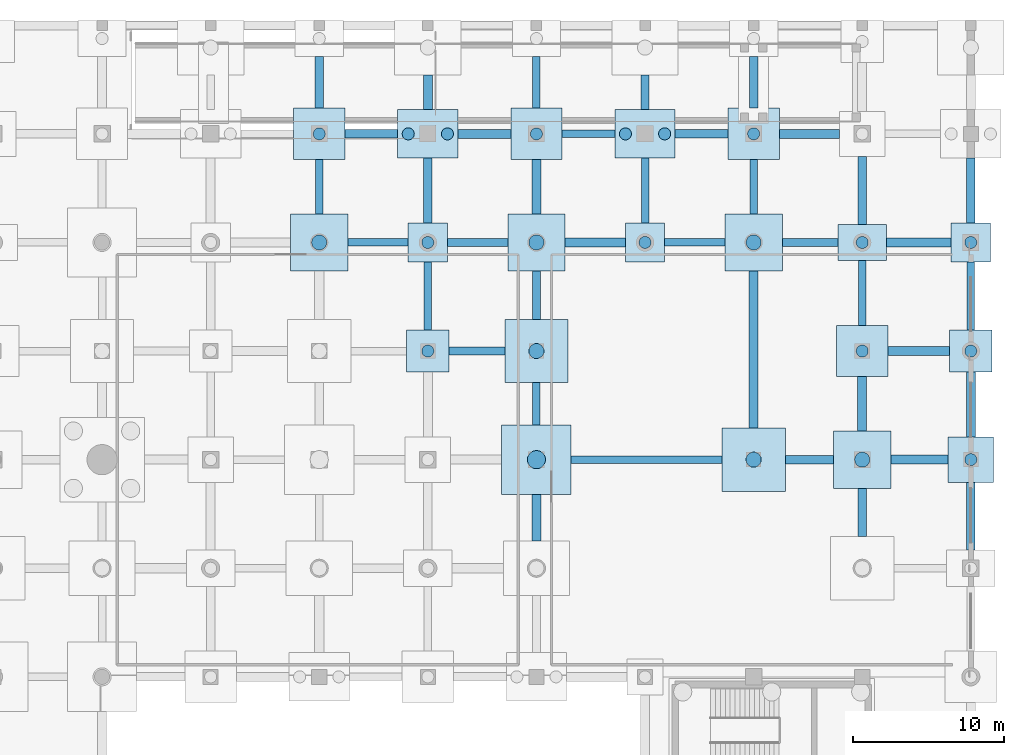
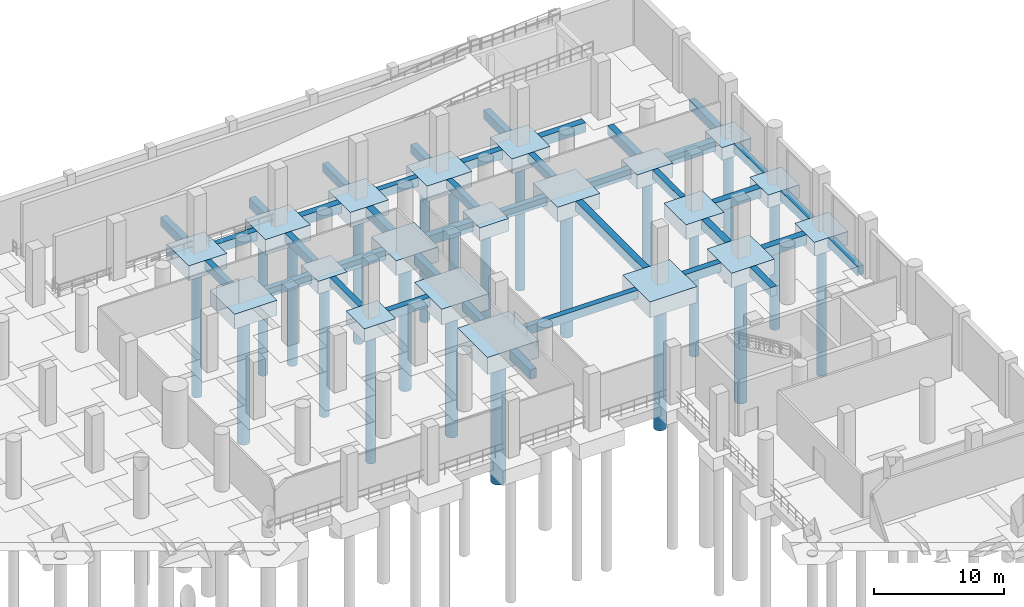
# One storey, part 15 of 37: 59 footings, 22 piles.
"""IFC4 building model written with IfcOpenShell, lengths in metres."""

from ifc_helpers import new_model, si_unit, direction, frame, origin, origin_2d, place, context, subcontext, project, spatial, rectangle, circle, extrude, material, material_profile, profile_set, type_object, element, save


model = new_model("IFC4")

# Units and contexts
model_context = context("Model", 3, precision=1e-05, world=origin(), true_north=direction((0.0, 1.0)))
body_context = subcontext(model_context, "Body", "Model", "MODEL_VIEW")
ifc_project = project(units=[si_unit("LENGTHUNIT", "METRE"), si_unit("AREAUNIT", "SQUARE_METRE"), si_unit("VOLUMEUNIT", "CUBIC_METRE"), si_unit("PLANEANGLEUNIT", "RADIAN"), si_unit("MASSUNIT", "GRAM", prefix="KILO")], contexts=[model_context])

# Site, building, storey
site_placement = place(None, origin())
site = spatial("IfcSite", under=ifc_project, at=site_placement, CompositionType="ELEMENT")
building_placement = place(site_placement, origin())
building = spatial("IfcBuilding", under=site, at=building_placement, Name="Qandorah Velis Arena", CompositionType="ELEMENT")
storey_placement = place(building_placement, frame((0.0, 0.0, -5.39990234375)))
storey = spatial("IfcBuildingStorey", under=building, at=storey_placement, Name="B1", CompositionType="ELEMENT", Elevation=-5.39990234375)

# Footings
ifc_material = material(Name="Concrete C40/50", Category="concrete")
footing_type_1 = type_object("IfcFootingType", Name="STR-CAP-PC10", PredefinedType="PILE_CAP", material=ifc_material)
for number, where, z_axis, x_axis, name in (
    (1, (136.800048828125, 115.199951171875, -1.2001953125), (0.0, 0.0, 1.0), (1.0, 0.0, 0.0), "Pile cap CAP-B1-287"),
    (2, (151.199951171875, 115.199951171875, -1.2001953125), (0.0, 0.0, 1.0), (1.0, 0.0, 0.0), "Pile cap CAP-B1-317"),
    (3, (172.800048828125, 115.199951171875, -1.2001953125), (0.0, 0.0, 1.0), (1.0, 0.0, 0.0), "Pile cap CAP-B1-357"),
):
    element("IfcFooting", number, at=place(storey_placement, frame(where, z_axis=z_axis, x_axis=x_axis)), inside=storey, type_object=footing_type_1, Name=name, PredefinedType="PILE_CAP", context=body_context, shape_type="SweptSolid", body=[
        extrude(rectangle(XDim=2.60009765625, YDim=2.60009765625, at=origin_2d()), origin(), (0.0, 0.0, 1.0), 1.199951171875),
    ])
footing_type_2 = type_object("IfcFootingType", Name="STR-CAP-PC14", PredefinedType="PILE_CAP", material=ifc_material)
for number, where, z_axis, x_axis, name in (
    (4, (136.800048828125, 122.39990234375, -1.4501953125), (0.0, 0.0, 1.0), (1.0, 0.0, 0.0), "Pile cap CAP-B1-288"),
    (5, (151.199951171875, 122.39990234375, -1.4501953125), (0.0, 0.0, 1.0), (1.0, 0.0, 0.0), "Pile cap CAP-B1-318"),
):
    element("IfcFooting", number, at=place(storey_placement, frame(where, z_axis=z_axis, x_axis=x_axis)), inside=storey, type_object=footing_type_2, Name=name, PredefinedType="PILE_CAP", context=body_context, shape_type="SweptSolid", body=[
        extrude(rectangle(XDim=4.0, YDim=3.199951171875, at=origin_2d()), origin(), (0.0, 0.0, 1.0), 1.449951171875),
    ])
footing_type_3 = type_object("IfcFootingType", Name="STR-CAP-PC3", PredefinedType="PILE_CAP", material=ifc_material)
footing_1_placement = place(storey_placement, frame((144.0, 100.800048828125, -1.60009765625), z_axis=(0.0, 0.0, 1.0), x_axis=(1.0, 0.0, 0.0)))
element("IfcFooting", 6, at=footing_1_placement, inside=storey, type_object=footing_type_3, Name="Pile cap CAP-B1-300", PredefinedType="PILE_CAP", context=body_context, shape_type="SweptSolid", body=[
    extrude(rectangle(XDim=4.60009765625, YDim=4.60009765625, at=origin_2d()), origin(), (0.0, 0.0, 1.0), 1.60009765625),
])
footing_type_4 = type_object("IfcFootingType", Name="STR-CAP-PC4", PredefinedType="PILE_CAP", material=ifc_material)
for number, where, z_axis, x_axis, name in (
    (7, (144.0, 108.0, -1.5), (0.0, 0.0, 1.0), (1.0, 0.0, 0.0), "Pile cap CAP-B1-301"),
    (8, (158.39990234375, 100.800048828125, -1.5), (0.0, 0.0, 1.0), (1.0, 0.0, 0.0), "Pile cap CAP-B1-331"),
):
    element("IfcFooting", number, at=place(storey_placement, frame(where, z_axis=z_axis, x_axis=x_axis)), inside=storey, type_object=footing_type_4, Name=name, PredefinedType="PILE_CAP", context=body_context, shape_type="SweptSolid", body=[
        extrude(rectangle(XDim=4.199951171875, YDim=4.199951171875, at=origin_2d()), origin(), (0.0, 0.0, 1.0), 1.5),
    ])
footing_type_5 = type_object("IfcFootingType", Name="STR-CAP-PC5", PredefinedType="PILE_CAP", material=ifc_material)
for number, where, z_axis, x_axis, name in (
    (9, (129.60009765625, 115.199951171875, -1.400146484375), (0.0, 0.0, 1.0), (1.0, 0.0, 0.0), "Pile cap CAP-B1-272"),
    (10, (144.0, 115.199951171875, -1.400146484375), (0.0, 0.0, 1.0), (1.0, 0.0, 0.0), "Pile cap CAP-B1-302"),
    (11, (158.39990234375, 115.199951171875, -1.400146484375), (0.0, 0.0, 1.0), (1.0, 0.0, 0.0), "Pile cap CAP-B1-332"),
    (12, (165.60009765625, 100.800048828125, -1.400146484375), (0.0, 0.0, 1.0), (1.0, 0.0, 0.0), "Pile cap CAP-B1-342"),
):
    element("IfcFooting", number, at=place(storey_placement, frame(where, z_axis=z_axis, x_axis=x_axis)), inside=storey, type_object=footing_type_5, Name=name, PredefinedType="PILE_CAP", context=body_context, shape_type="SweptSolid", body=[
        extrude(rectangle(XDim=3.800048828125, YDim=3.800048828125, at=origin_2d()), origin(), (0.0, 0.0, 1.0), 1.39990234375),
    ])
footing_type_6 = type_object("IfcFootingType", Name="STR-CAP-PC6", PredefinedType="PILE_CAP", material=ifc_material)
for number, where, z_axis, x_axis, name in (
    (13, (129.60009765625, 122.39990234375, -1.400146484375), (0.0, 0.0, 1.0), (1.0, 0.0, 0.0), "Pile cap CAP-B1-273"),
    (14, (144.0, 122.39990234375, -1.400146484375), (0.0, 0.0, 1.0), (1.0, 0.0, 0.0), "Pile cap CAP-B1-303"),
    (15, (158.39990234375, 122.39990234375, -1.400146484375), (0.0, 0.0, 1.0), (1.0, 0.0, 0.0), "Pile cap CAP-B1-333"),
    (16, (165.60009765625, 108.0, -1.400146484375), (0.0, 0.0, 1.0), (1.0, 0.0, 0.0), "Pile cap CAP-B1-343"),
):
    element("IfcFooting", number, at=place(storey_placement, frame(where, z_axis=z_axis, x_axis=x_axis)), inside=storey, type_object=footing_type_6, Name=name, PredefinedType="PILE_CAP", context=body_context, shape_type="SweptSolid", body=[
        extrude(rectangle(XDim=3.39990234375, YDim=3.39990234375, at=origin_2d()), origin(), (0.0, 0.0, 1.0), 1.39990234375),
    ])
footing_type_7 = type_object("IfcFootingType", Name="STR-CAP-PC7", PredefinedType="PILE_CAP", material=ifc_material)
footing_2_placement = place(storey_placement, frame((165.60009765625, 115.199951171875, -1.35009765625), z_axis=(0.0, 0.0, 1.0), x_axis=(1.0, 0.0, 0.0)))
element("IfcFooting", 17, at=footing_2_placement, inside=storey, type_object=footing_type_7, Name="Pile cap CAP-B1-344", PredefinedType="PILE_CAP", context=body_context, shape_type="SweptSolid", body=[
    extrude(rectangle(XDim=3.199951171875, YDim=2.39990234375, at=origin_2d()), origin(), (0.0, 0.0, 1.0), 1.35009765625),
])
footing_type_8 = type_object("IfcFootingType", Name="STR-CAP-PC8", PredefinedType="PILE_CAP", material=ifc_material)
footing_3_placement = place(storey_placement, frame((172.800048828125, 100.800048828125, -1.30029296875), z_axis=(0.0, 0.0, 1.0), x_axis=(1.0, 0.0, 0.0)))
element("IfcFooting", 18, at=footing_3_placement, inside=storey, type_object=footing_type_8, Name="Pile cap CAP-B1-355", PredefinedType="PILE_CAP", context=body_context, shape_type="SweptSolid", body=[
    extrude(rectangle(XDim=3.0, YDim=3.0, at=origin_2d()), origin(), (0.0, 0.0, 1.0), 1.300048828125),
])
footing_type_9 = type_object("IfcFootingType", Name="STR-CAP-PC9", PredefinedType="PILE_CAP", material=ifc_material)
for number, where, z_axis, x_axis, name in (
    (19, (136.800048828125, 108.0, -1.25), (0.0, 0.0, 1.0), (1.0, 0.0, 0.0), "Pile cap CAP-B1-286"),
    (20, (172.800048828125, 108.0, -1.25), (0.0, 0.0, 1.0), (1.0, 0.0, 0.0), "Pile cap CAP-B1-356"),
):
    element("IfcFooting", number, at=place(storey_placement, frame(where, z_axis=z_axis, x_axis=x_axis)), inside=storey, type_object=footing_type_9, Name=name, PredefinedType="PILE_CAP", context=body_context, shape_type="SweptSolid", body=[
        extrude(rectangle(XDim=2.800048828125, YDim=2.800048828125, at=origin_2d()), origin(), (0.0, 0.0, 1.0), 1.25),
    ])
ifc_material_profile_1 = material_profile(ifc_material, rectangle(XDim=0.60009765625, YDim=0.89990234375, at=origin_2d()), Name="GB1 600x900")
ifc_profile_set_1 = profile_set([ifc_material_profile_1], Name="Concrete C40/50")
footing_type_10 = type_object("IfcFootingType", Name="STR-GB-FB1", PredefinedType="FOOTING_BEAM", material=ifc_profile_set_1)
footing_4_placement = place(storey_placement, frame((136.800048828125, 124.0, -0.4501953125), z_axis=(0.0, 1.0, 0.0), x_axis=(-1.0, 0.0, 0.0)))
element("IfcFooting", 21, at=footing_4_placement, inside=storey, type_object=footing_type_10, Name="Ground tie beam GB-216", PredefinedType="FOOTING_BEAM", context=body_context, shape_type="SweptSolid", body=[
    extrude(rectangle(XDim=0.60009765625, YDim=0.89990234375, at=origin_2d()), origin(), (0.0, 0.0, 1.0), 2.320068359375),
])
footing_5_placement = place(storey_placement, frame((144.0, 95.39990234375, -0.4501953125), z_axis=(0.0, 1.0, 0.0), x_axis=(-1.0, 0.0, 0.0)))
element("IfcFooting", 22, at=footing_5_placement, inside=storey, type_object=footing_type_10, Name="Ground tie beam GB-225", PredefinedType="FOOTING_BEAM", context=body_context, shape_type="SweptSolid", body=[
    extrude(rectangle(XDim=0.60009765625, YDim=0.89990234375, at=origin_2d()), origin(), (0.0, 0.0, 1.0), 3.10009765625),
])
footing_6_placement = place(storey_placement, frame((144.0, 117.10009765625, -0.4501953125), z_axis=(0.0, 1.0, 0.0), x_axis=(-1.0, 0.0, 0.0)))
element("IfcFooting", 23, at=footing_6_placement, inside=storey, type_object=footing_type_10, Name="Ground tie beam GB-228", PredefinedType="FOOTING_BEAM", context=body_context, shape_type="SweptSolid", body=[
    extrude(rectangle(XDim=0.60009765625, YDim=0.89990234375, at=origin_2d()), origin(), (0.0, 0.0, 1.0), 3.599853515625),
])
footing_7_placement = place(storey_placement, frame((158.39990234375, 102.89990234375, -0.4501953125), z_axis=(0.0, 1.0, 0.0), x_axis=(-1.0, 0.0, 0.0)))
element("IfcFooting", 24, at=footing_7_placement, inside=storey, type_object=footing_type_10, Name="Ground tie beam GB-249", PredefinedType="FOOTING_BEAM", context=body_context, shape_type="SweptSolid", body=[
    extrude(rectangle(XDim=0.60009765625, YDim=0.89990234375, at=origin_2d()), origin(), (0.0, 0.0, 1.0), 10.400146484375),
])
footing_8_placement = place(storey_placement, frame((165.60009765625, 102.699951171875, -0.4501953125), z_axis=(0.0, 1.0, 0.0), x_axis=(-1.0, 0.0, 0.0)))
element("IfcFooting", 25, at=footing_8_placement, inside=storey, type_object=footing_type_10, Name="Ground tie beam GB-255", PredefinedType="FOOTING_BEAM", context=body_context, shape_type="SweptSolid", body=[
    extrude(rectangle(XDim=0.60009765625, YDim=0.89990234375, at=origin_2d()), origin(), (0.0, 0.0, 1.0), 3.60009765625),
])
footing_9_placement = place(storey_placement, frame((172.800048828125, 102.300048828125, -0.4501953125), z_axis=(0.0, 1.0, 0.0), x_axis=(-1.0, 0.0, 0.0)))
element("IfcFooting", 26, at=footing_9_placement, inside=storey, type_object=footing_type_10, Name="Ground tie beam GB-267", PredefinedType="FOOTING_BEAM", context=body_context, shape_type="SweptSolid", body=[
    extrude(rectangle(XDim=0.60009765625, YDim=0.89990234375, at=origin_2d()), origin(), (0.0, 0.0, 1.0), 4.300048828125),
])
footing_10_placement = place(storey_placement, frame((167.5, 100.800048828125, -0.4501953125), z_axis=(1.0, 0.0, 0.0), x_axis=(0.0, 1.0, 0.0)))
element("IfcFooting", 27, at=footing_10_placement, inside=storey, type_object=footing_type_10, Name="Ground tie beam GB-468", PredefinedType="FOOTING_BEAM", context=body_context, shape_type="SweptSolid", body=[
    extrude(rectangle(XDim=0.60009765625, YDim=0.89990234375, at=origin_2d()), origin(), (0.0, 0.0, 1.0), 3.800048828125),
])
footing_11_placement = place(storey_placement, frame((167.300048828125, 108.0, -0.4501953125), z_axis=(1.0, 0.0, 0.0), x_axis=(0.0, 1.0, 0.0)))
element("IfcFooting", 28, at=footing_11_placement, inside=storey, type_object=footing_type_10, Name="Ground tie beam GB-489", PredefinedType="FOOTING_BEAM", context=body_context, shape_type="SweptSolid", body=[
    extrude(rectangle(XDim=0.60009765625, YDim=0.89990234375, at=origin_2d()), origin(), (0.0, 0.0, 1.0), 4.099853515625),
])
footing_12_placement = place(storey_placement, frame((145.89990234375, 115.199951171875, -0.4501953125), z_axis=(1.0, 0.0, 0.0), x_axis=(0.0, 1.0, 0.0)))
element("IfcFooting", 29, at=footing_12_placement, inside=storey, type_object=footing_type_10, Name="Ground tie beam GB-510", PredefinedType="FOOTING_BEAM", context=body_context, shape_type="SweptSolid", body=[
    extrude(rectangle(XDim=0.60009765625, YDim=0.89990234375, at=origin_2d()), origin(), (0.0, 0.0, 1.0), 4.0),
])
footing_13_placement = place(storey_placement, frame((167.199951171875, 115.199951171875, -0.4501953125), z_axis=(1.0, 0.0, 0.0), x_axis=(0.0, 1.0, 0.0)))
element("IfcFooting", 30, at=footing_13_placement, inside=storey, type_object=footing_type_10, Name="Ground tie beam GB-513", PredefinedType="FOOTING_BEAM", context=body_context, shape_type="SweptSolid", body=[
    extrude(rectangle(XDim=0.60009765625, YDim=0.89990234375, at=origin_2d()), origin(), (0.0, 0.0, 1.0), 4.300048828125),
])
footing_14_placement = place(storey_placement, frame((138.800048828125, 122.39990234375, -0.4501953125), z_axis=(1.0, 0.0, 0.0), x_axis=(0.0, 1.0, 0.0)))
element("IfcFooting", 31, at=footing_14_placement, inside=storey, type_object=footing_type_10, Name="Ground tie beam GB-525", PredefinedType="FOOTING_BEAM", context=body_context, shape_type="SweptSolid", body=[
    extrude(rectangle(XDim=0.60009765625, YDim=0.89990234375, at=origin_2d()), origin(), (0.0, 0.0, 1.0), 3.5),
])
footing_15_placement = place(storey_placement, frame((160.10009765625, 122.39990234375, -0.4501953125), z_axis=(1.0, 0.0, 0.0), x_axis=(0.0, 1.0, 0.0)))
element("IfcFooting", 32, at=footing_15_placement, inside=storey, type_object=footing_type_10, Name="Ground tie beam GB-528", PredefinedType="FOOTING_BEAM", context=body_context, shape_type="SweptSolid", body=[
    extrude(rectangle(XDim=0.60009765625, YDim=0.89990234375, at=origin_2d()), origin(), (0.0, 0.0, 1.0), 4.0),
])
ifc_material_profile_2 = material_profile(ifc_material, rectangle(XDim=0.5, YDim=0.800048828125, at=origin_2d()), Name="GB2 500x800")
ifc_profile_set_2 = profile_set([ifc_material_profile_2], Name="Concrete C40/50")
footing_type_11 = type_object("IfcFootingType", Name="STR-GB-FB2", PredefinedType="FOOTING_BEAM", material=ifc_profile_set_2)
footing_16_placement = place(storey_placement, frame((129.60009765625, 117.10009765625, -0.400146484375), z_axis=(0.0, 1.0, 0.0), x_axis=(-1.0, 0.0, 0.0)))
element("IfcFooting", 33, at=footing_16_placement, inside=storey, type_object=footing_type_11, Name="Ground tie beam GB-202", PredefinedType="FOOTING_BEAM", context=body_context, shape_type="SweptSolid", body=[
    extrude(rectangle(XDim=0.5, YDim=0.800048828125, at=origin_2d()), origin(), (0.0, 0.0, 1.0), 3.599853515625),
])
footing_17_placement = place(storey_placement, frame((136.800048828125, 109.39990234375, -0.400146484375), z_axis=(0.0, 1.0, 0.0), x_axis=(-1.0, 0.0, 0.0)))
element("IfcFooting", 34, at=footing_17_placement, inside=storey, type_object=footing_type_11, Name="Ground tie beam GB-214", PredefinedType="FOOTING_BEAM", context=body_context, shape_type="SweptSolid", body=[
    extrude(rectangle(XDim=0.5, YDim=0.800048828125, at=origin_2d()), origin(), (0.0, 0.0, 1.0), 4.5),
])
footing_18_placement = place(storey_placement, frame((144.0, 103.10009765625, -0.400146484375), z_axis=(0.0, 1.0, 0.0), x_axis=(-1.0, 0.0, 0.0)))
element("IfcFooting", 35, at=footing_18_placement, inside=storey, type_object=footing_type_11, Name="Ground tie beam GB-226", PredefinedType="FOOTING_BEAM", context=body_context, shape_type="SweptSolid", body=[
    extrude(rectangle(XDim=0.5, YDim=0.800048828125, at=origin_2d()), origin(), (0.0, 0.0, 1.0), 2.7998046875),
])
footing_19_placement = place(storey_placement, frame((144.0, 124.10009765625, -0.400146484375), z_axis=(0.0, 1.0, 0.0), x_axis=(-1.0, 0.0, 0.0)))
element("IfcFooting", 36, at=footing_19_placement, inside=storey, type_object=footing_type_11, Name="Ground tie beam GB-229", PredefinedType="FOOTING_BEAM", context=body_context, shape_type="SweptSolid", body=[
    extrude(rectangle(XDim=0.5, YDim=0.800048828125, at=origin_2d()), origin(), (0.0, 0.0, 1.0), 3.419921875),
])
footing_20_placement = place(storey_placement, frame((151.199951171875, 116.5, -0.400146484375), z_axis=(0.0, 1.0, 0.0), x_axis=(-1.0, 0.0, 0.0)))
element("IfcFooting", 37, at=footing_20_placement, inside=storey, type_object=footing_type_11, Name="Ground tie beam GB-241", PredefinedType="FOOTING_BEAM", context=body_context, shape_type="SweptSolid", body=[
    extrude(rectangle(XDim=0.5, YDim=0.800048828125, at=origin_2d()), origin(), (0.0, 0.0, 1.0), 4.300048828125),
])
footing_21_placement = place(storey_placement, frame((158.39990234375, 117.10009765625, -0.400146484375), z_axis=(0.0, 1.0, 0.0), x_axis=(-1.0, 0.0, 0.0)))
element("IfcFooting", 38, at=footing_21_placement, inside=storey, type_object=footing_type_11, Name="Ground tie beam GB-250", PredefinedType="FOOTING_BEAM", context=body_context, shape_type="SweptSolid", body=[
    extrude(rectangle(XDim=0.5, YDim=0.800048828125, at=origin_2d()), origin(), (0.0, 0.0, 1.0), 3.599853515625),
])
footing_22_placement = place(storey_placement, frame((165.60009765625, 109.699951171875, -0.400146484375), z_axis=(0.0, 1.0, 0.0), x_axis=(-1.0, 0.0, 0.0)))
element("IfcFooting", 39, at=footing_22_placement, inside=storey, type_object=footing_type_11, Name="Ground tie beam GB-256", PredefinedType="FOOTING_BEAM", context=body_context, shape_type="SweptSolid", body=[
    extrude(rectangle(XDim=0.5, YDim=0.800048828125, at=origin_2d()), origin(), (0.0, 0.0, 1.0), 4.300048828125),
])
footing_23_placement = place(storey_placement, frame((172.800048828125, 109.39990234375, -0.400146484375), z_axis=(0.0, 1.0, 0.0), x_axis=(-1.0, 0.0, 0.0)))
element("IfcFooting", 40, at=footing_23_placement, inside=storey, type_object=footing_type_11, Name="Ground tie beam GB-268", PredefinedType="FOOTING_BEAM", context=body_context, shape_type="SweptSolid", body=[
    extrude(rectangle(XDim=0.5, YDim=0.800048828125, at=origin_2d()), origin(), (0.0, 0.0, 1.0), 4.5),
])
footing_24_placement = place(storey_placement, frame((146.300048828125, 100.800048828125, -0.400146484375), z_axis=(1.0, 0.0, 0.0), x_axis=(0.0, 1.0, 0.0)))
element("IfcFooting", 41, at=footing_24_placement, inside=storey, type_object=footing_type_11, Name="Ground tie beam GB-466", PredefinedType="FOOTING_BEAM", context=body_context, shape_type="SweptSolid", body=[
    extrude(rectangle(XDim=0.5, YDim=0.800048828125, at=origin_2d()), origin(), (0.0, 0.0, 1.0), 10.0),
])
for number, where, z_axis, x_axis, name in (
    (42, (131.5, 115.199951171875, -0.400146484375), (1.0, 0.0, 0.0), (0.0, 1.0, 0.0), "Ground tie beam GB-508"),
    (43, (152.5, 115.199951171875, -0.400146484375), (1.0, 0.0, 0.0), (0.0, 1.0, 0.0), "Ground tie beam GB-511"),
):
    element("IfcFooting", number, at=place(storey_placement, frame(where, z_axis=z_axis, x_axis=x_axis)), inside=storey, type_object=footing_type_11, Name=name, PredefinedType="FOOTING_BEAM", context=body_context, shape_type="SweptSolid", body=[
        extrude(rectangle(XDim=0.5, YDim=0.800048828125, at=origin_2d()), origin(), (0.0, 0.0, 1.0), 4.0),
    ])
footing_25_placement = place(storey_placement, frame((145.699951171875, 122.39990234375, -0.400146484375), z_axis=(1.0, 0.0, 0.0), x_axis=(0.0, 1.0, 0.0)))
element("IfcFooting", 44, at=footing_25_placement, inside=storey, type_object=footing_type_11, Name="Ground tie beam GB-526", PredefinedType="FOOTING_BEAM", context=body_context, shape_type="SweptSolid", body=[
    extrude(rectangle(XDim=0.5, YDim=0.800048828125, at=origin_2d()), origin(), (0.0, 0.0, 1.0), 3.5),
])
ifc_material_profile_3 = material_profile(ifc_material, rectangle(XDim=0.550048828125, YDim=0.85009765625, at=origin_2d()), Name="GB3 550x850")
ifc_profile_set_3 = profile_set([ifc_material_profile_3], Name="Concrete C40/50")
footing_type_12 = type_object("IfcFootingType", Name="STR-GB-FB3", PredefinedType="FOOTING_BEAM", material=ifc_profile_set_3)
footing_26_placement = place(storey_placement, frame((129.60009765625, 124.10009765625, -0.425048828125), z_axis=(0.0, 1.0, 0.0), x_axis=(-1.0, 0.0, 0.0)))
element("IfcFooting", 45, at=footing_26_placement, inside=storey, type_object=footing_type_12, Name="Ground tie beam GB-203", PredefinedType="FOOTING_BEAM", context=body_context, shape_type="SweptSolid", body=[
    extrude(rectangle(XDim=0.550048828125, YDim=0.85009765625, at=origin_2d()), origin(), (0.0, 0.0, 1.0), 3.419921875),
])
footing_27_placement = place(storey_placement, frame((136.800048828125, 116.5, -0.425048828125), z_axis=(0.0, 1.0, 0.0), x_axis=(-1.0, 0.0, 0.0)))
element("IfcFooting", 46, at=footing_27_placement, inside=storey, type_object=footing_type_12, Name="Ground tie beam GB-215", PredefinedType="FOOTING_BEAM", context=body_context, shape_type="SweptSolid", body=[
    extrude(rectangle(XDim=0.550048828125, YDim=0.85009765625, at=origin_2d()), origin(), (0.0, 0.0, 1.0), 4.300048828125),
])
footing_28_placement = place(storey_placement, frame((144.0, 110.10009765625, -0.425048828125), z_axis=(0.0, 1.0, 0.0), x_axis=(-1.0, 0.0, 0.0)))
element("IfcFooting", 47, at=footing_28_placement, inside=storey, type_object=footing_type_12, Name="Ground tie beam GB-227", PredefinedType="FOOTING_BEAM", context=body_context, shape_type="SweptSolid", body=[
    extrude(rectangle(XDim=0.550048828125, YDim=0.85009765625, at=origin_2d()), origin(), (0.0, 0.0, 1.0), 3.199951171875),
])
footing_29_placement = place(storey_placement, frame((151.199951171875, 124.0, -0.425048828125), z_axis=(0.0, 1.0, 0.0), x_axis=(-1.0, 0.0, 0.0)))
element("IfcFooting", 48, at=footing_29_placement, inside=storey, type_object=footing_type_12, Name="Ground tie beam GB-242", PredefinedType="FOOTING_BEAM", context=body_context, shape_type="SweptSolid", body=[
    extrude(rectangle(XDim=0.550048828125, YDim=0.85009765625, at=origin_2d()), origin(), (0.0, 0.0, 1.0), 2.320068359375),
])
footing_30_placement = place(storey_placement, frame((158.39990234375, 124.10009765625, -0.425048828125), z_axis=(0.0, 1.0, 0.0), x_axis=(-1.0, 0.0, 0.0)))
element("IfcFooting", 49, at=footing_30_placement, inside=storey, type_object=footing_type_12, Name="Ground tie beam GB-251", PredefinedType="FOOTING_BEAM", context=body_context, shape_type="SweptSolid", body=[
    extrude(rectangle(XDim=0.550048828125, YDim=0.85009765625, at=origin_2d()), origin(), (0.0, 0.0, 1.0), 3.419921875),
])
footing_31_placement = place(storey_placement, frame((165.60009765625, 95.699951171875, -0.425048828125), z_axis=(0.0, 1.0, 0.0), x_axis=(-1.0, 0.0, 0.0)))
element("IfcFooting", 50, at=footing_31_placement, inside=storey, type_object=footing_type_12, Name="Ground tie beam GB-254", PredefinedType="FOOTING_BEAM", context=body_context, shape_type="SweptSolid", body=[
    extrude(rectangle(XDim=0.550048828125, YDim=0.85009765625, at=origin_2d()), origin(), (0.0, 0.0, 1.0), 3.199951171875),
])
for number, where, z_axis, x_axis, name in (
    (51, (165.60009765625, 116.39990234375, -0.425048828125), (0.0, 1.0, 0.0), (-1.0, 0.0, 0.0), "Ground tie beam GB-257"),
    (52, (172.800048828125, 94.800048828125, -0.425048828125), (0.0, 1.0, 0.0), (-1.0, 0.0, 0.0), "Ground tie beam GB-266"),
):
    element("IfcFooting", number, at=place(storey_placement, frame(where, z_axis=z_axis, x_axis=x_axis)), inside=storey, type_object=footing_type_12, Name=name, PredefinedType="FOOTING_BEAM", context=body_context, shape_type="SweptSolid", body=[
        extrude(rectangle(XDim=0.550048828125, YDim=0.85009765625, at=origin_2d()), origin(), (0.0, 0.0, 1.0), 4.5),
    ])
footing_32_placement = place(storey_placement, frame((172.800048828125, 116.5, -0.425048828125), z_axis=(0.0, 1.0, 0.0), x_axis=(-1.0, 0.0, 0.0)))
element("IfcFooting", 53, at=footing_32_placement, inside=storey, type_object=footing_type_12, Name="Ground tie beam GB-269", PredefinedType="FOOTING_BEAM", context=body_context, shape_type="SweptSolid", body=[
    extrude(rectangle(XDim=0.550048828125, YDim=0.85009765625, at=origin_2d()), origin(), (0.0, 0.0, 1.0), 4.300048828125),
])
footing_33_placement = place(storey_placement, frame((160.5, 100.800048828125, -0.425048828125), z_axis=(1.0, 0.0, 0.0), x_axis=(0.0, 1.0, 0.0)))
element("IfcFooting", 54, at=footing_33_placement, inside=storey, type_object=footing_type_12, Name="Ground tie beam GB-467", PredefinedType="FOOTING_BEAM", context=body_context, shape_type="SweptSolid", body=[
    extrude(rectangle(XDim=0.550048828125, YDim=0.85009765625, at=origin_2d()), origin(), (0.0, 0.0, 1.0), 3.199951171875),
])
footing_34_placement = place(storey_placement, frame((138.199951171875, 108.0, -0.425048828125), z_axis=(1.0, 0.0, 0.0), x_axis=(0.0, 1.0, 0.0)))
element("IfcFooting", 55, at=footing_34_placement, inside=storey, type_object=footing_type_12, Name="Ground tie beam GB-488", PredefinedType="FOOTING_BEAM", context=body_context, shape_type="SweptSolid", body=[
    extrude(rectangle(XDim=0.550048828125, YDim=0.85009765625, at=origin_2d()), origin(), (0.0, 0.0, 1.0), 3.699951171875),
])
footing_35_placement = place(storey_placement, frame((138.10009765625, 115.199951171875, -0.425048828125), z_axis=(1.0, 0.0, 0.0), x_axis=(0.0, 1.0, 0.0)))
element("IfcFooting", 56, at=footing_35_placement, inside=storey, type_object=footing_type_12, Name="Ground tie beam GB-509", PredefinedType="FOOTING_BEAM", context=body_context, shape_type="SweptSolid", body=[
    extrude(rectangle(XDim=0.550048828125, YDim=0.85009765625, at=origin_2d()), origin(), (0.0, 0.0, 1.0), 4.0),
])
footing_36_placement = place(storey_placement, frame((160.300048828125, 115.199951171875, -0.425048828125), z_axis=(1.0, 0.0, 0.0), x_axis=(0.0, 1.0, 0.0)))
element("IfcFooting", 57, at=footing_36_placement, inside=storey, type_object=footing_type_12, Name="Ground tie beam GB-512", PredefinedType="FOOTING_BEAM", context=body_context, shape_type="SweptSolid", body=[
    extrude(rectangle(XDim=0.550048828125, YDim=0.85009765625, at=origin_2d()), origin(), (0.0, 0.0, 1.0), 3.699951171875),
])
for number, where, z_axis, x_axis, name in (
    (58, (131.300048828125, 122.39990234375, -0.425048828125), (1.0, 0.0, 0.0), (0.0, 1.0, 0.0), "Ground tie beam GB-524"),
    (59, (153.199951171875, 122.39990234375, -0.425048828125), (1.0, 0.0, 0.0), (0.0, 1.0, 0.0), "Ground tie beam GB-527"),
):
    element("IfcFooting", number, at=place(storey_placement, frame(where, z_axis=z_axis, x_axis=x_axis)), inside=storey, type_object=footing_type_12, Name=name, PredefinedType="FOOTING_BEAM", context=body_context, shape_type="SweptSolid", body=[
        extrude(rectangle(XDim=0.550048828125, YDim=0.85009765625, at=origin_2d()), origin(), (0.0, 0.0, 1.0), 3.5),
    ])

# Piles
ifc_material_profile_4 = material_profile(ifc_material, circle(Radius=0.5, at=origin_2d()), Name="BORED PILE D1000")
ifc_profile_set_4 = profile_set([ifc_material_profile_4], Name="Concrete C40/50")
pile_type_1 = type_object("IfcPileType", Name="STR-PILE-BP1000", PredefinedType="BORED", material=ifc_profile_set_4)
pile_1_placement = place(storey_placement, frame((129.60009765625, 115.199951171875, -1.300048828125), z_axis=(0.0, 0.0, -1.0), x_axis=(1.0, 0.0, 0.0)))
element("IfcPile", 60, at=pile_1_placement, inside=storey, type_object=pile_type_1, Name="Bored pile PILE-CAP-B1-272-11", PredefinedType="BORED", context=body_context, shape_type="SweptSolid", body=[
    extrude(circle(Radius=0.5, at=origin_2d()), origin(), (0.0, 0.0, 1.0), 12.5),
])
pile_2_placement = place(storey_placement, frame((144.0, 108.0, -1.400146484375), z_axis=(0.0, 0.0, -1.0), x_axis=(1.0, 0.0, 0.0)))
element("IfcPile", 61, at=pile_2_placement, inside=storey, type_object=pile_type_1, Name="Bored pile PILE-CAP-B1-301-11", PredefinedType="BORED", context=body_context, shape_type="SweptSolid", body=[
    extrude(circle(Radius=0.5, at=origin_2d()), origin(), (0.0, 0.0, 1.0), 12.39990234375),
])
pile_3_placement = place(storey_placement, frame((144.0, 115.199951171875, -1.300048828125), z_axis=(0.0, 0.0, -1.0), x_axis=(1.0, 0.0, 0.0)))
element("IfcPile", 62, at=pile_3_placement, inside=storey, type_object=pile_type_1, Name="Bored pile PILE-CAP-B1-302-11", PredefinedType="BORED", context=body_context, shape_type="SweptSolid", body=[
    extrude(circle(Radius=0.5, at=origin_2d()), origin(), (0.0, 0.0, 1.0), 12.5),
])
pile_4_placement = place(storey_placement, frame((158.39990234375, 100.800048828125, -1.400146484375), z_axis=(0.0, 0.0, -1.0), x_axis=(1.0, 0.0, 0.0)))
element("IfcPile", 63, at=pile_4_placement, inside=storey, type_object=pile_type_1, Name="Bored pile PILE-CAP-B1-331-11", PredefinedType="BORED", context=body_context, shape_type="SweptSolid", body=[
    extrude(circle(Radius=0.5, at=origin_2d()), origin(), (0.0, 0.0, 1.0), 12.39990234375),
])
for number, where, z_axis, x_axis, name in (
    (64, (158.39990234375, 115.199951171875, -1.300048828125), (0.0, 0.0, -1.0), (1.0, 0.0, 0.0), "Bored pile PILE-CAP-B1-332-11"),
    (65, (165.60009765625, 100.800048828125, -1.300048828125), (0.0, 0.0, -1.0), (1.0, 0.0, 0.0), "Bored pile PILE-CAP-B1-342-11"),
):
    element("IfcPile", number, at=place(storey_placement, frame(where, z_axis=z_axis, x_axis=x_axis)), inside=storey, type_object=pile_type_1, Name=name, PredefinedType="BORED", context=body_context, shape_type="SweptSolid", body=[
        extrude(circle(Radius=0.5, at=origin_2d()), origin(), (0.0, 0.0, 1.0), 12.5),
    ])
ifc_material_profile_5 = material_profile(ifc_material, circle(Radius=0.60009765625, at=origin_2d()), Name="BORED PILE D1200")
ifc_profile_set_5 = profile_set([ifc_material_profile_5], Name="Concrete C40/50")
pile_type_2 = type_object("IfcPileType", Name="STR-PILE-BP1200", PredefinedType="BORED", material=ifc_profile_set_5)
pile_5_placement = place(storey_placement, frame((144.0, 100.800048828125, -1.5), z_axis=(0.0, 0.0, -1.0), x_axis=(1.0, 0.0, 0.0)))
element("IfcPile", 66, at=pile_5_placement, inside=storey, type_object=pile_type_2, Name="Bored pile PILE-CAP-B1-300-11", PredefinedType="BORED", context=body_context, shape_type="SweptSolid", body=[
    extrude(circle(Radius=0.60009765625, at=origin_2d()), origin(), (0.0, 0.0, 1.0), 12.300048828125),
])
ifc_material_profile_6 = material_profile(ifc_material, circle(Radius=0.39990234375, at=origin_2d()), Name="BORED PILE D800")
ifc_profile_set_6 = profile_set([ifc_material_profile_6], Name="Concrete C40/50")
pile_type_3 = type_object("IfcPileType", Name="STR-PILE-BP800", PredefinedType="BORED", material=ifc_profile_set_6)
pile_6_placement = place(storey_placement, frame((129.60009765625, 122.39990234375, -1.300048828125), z_axis=(0.0, 0.0, -1.0), x_axis=(1.0, 0.0, 0.0)))
element("IfcPile", 67, at=pile_6_placement, inside=storey, type_object=pile_type_3, Name="Bored pile PILE-CAP-B1-273-11", PredefinedType="BORED", context=body_context, shape_type="SweptSolid", body=[
    extrude(circle(Radius=0.39990234375, at=origin_2d()), origin(), (0.0, 0.0, 1.0), 12.5),
])
pile_7_placement = place(storey_placement, frame((136.800048828125, 108.0, -1.150146484375), z_axis=(0.0, 0.0, -1.0), x_axis=(1.0, 0.0, 0.0)))
element("IfcPile", 68, at=pile_7_placement, inside=storey, type_object=pile_type_3, Name="Bored pile PILE-CAP-B1-286-11", PredefinedType="BORED", context=body_context, shape_type="SweptSolid", body=[
    extrude(circle(Radius=0.39990234375, at=origin_2d()), origin(), (0.0, 0.0, 1.0), 12.64990234375),
])
pile_8_placement = place(storey_placement, frame((136.800048828125, 115.199951171875, -1.10009765625), z_axis=(0.0, 0.0, -1.0), x_axis=(1.0, 0.0, 0.0)))
element("IfcPile", 69, at=pile_8_placement, inside=storey, type_object=pile_type_3, Name="Bored pile PILE-CAP-B1-287-11", PredefinedType="BORED", context=body_context, shape_type="SweptSolid", body=[
    extrude(circle(Radius=0.39990234375, at=origin_2d()), origin(), (0.0, 0.0, 1.0), 12.699951171875),
])
for number, where, z_axis, x_axis, name in (
    (70, (135.5, 122.39990234375, -1.35009765625), (0.0, 0.0, -1.0), (1.0, 0.0, 0.0), "Bored pile PILE-CAP-B1-288-11"),
    (71, (138.10009765625, 122.39990234375, -1.35009765625), (0.0, 0.0, -1.0), (1.0, 0.0, 0.0), "Bored pile PILE-CAP-B1-288-21"),
):
    element("IfcPile", number, at=place(storey_placement, frame(where, z_axis=z_axis, x_axis=x_axis)), inside=storey, type_object=pile_type_3, Name=name, PredefinedType="BORED", context=body_context, shape_type="SweptSolid", body=[
        extrude(circle(Radius=0.39990234375, at=origin_2d()), origin(), (0.0, 0.0, 1.0), 12.449951171875),
    ])
pile_9_placement = place(storey_placement, frame((144.0, 122.39990234375, -1.300048828125), z_axis=(0.0, 0.0, -1.0), x_axis=(1.0, 0.0, 0.0)))
element("IfcPile", 72, at=pile_9_placement, inside=storey, type_object=pile_type_3, Name="Bored pile PILE-CAP-B1-303-11", PredefinedType="BORED", context=body_context, shape_type="SweptSolid", body=[
    extrude(circle(Radius=0.39990234375, at=origin_2d()), origin(), (0.0, 0.0, 1.0), 12.5),
])
pile_10_placement = place(storey_placement, frame((151.199951171875, 115.199951171875, -1.10009765625), z_axis=(0.0, 0.0, -1.0), x_axis=(1.0, 0.0, 0.0)))
element("IfcPile", 73, at=pile_10_placement, inside=storey, type_object=pile_type_3, Name="Bored pile PILE-CAP-B1-317-11", PredefinedType="BORED", context=body_context, shape_type="SweptSolid", body=[
    extrude(circle(Radius=0.39990234375, at=origin_2d()), origin(), (0.0, 0.0, 1.0), 12.699951171875),
])
for number, where, z_axis, x_axis, name in (
    (74, (149.89990234375, 122.39990234375, -1.35009765625), (0.0, 0.0, -1.0), (1.0, 0.0, 0.0), "Bored pile PILE-CAP-B1-318-11"),
    (75, (152.5, 122.39990234375, -1.35009765625), (0.0, 0.0, -1.0), (1.0, 0.0, 0.0), "Bored pile PILE-CAP-B1-318-21"),
):
    element("IfcPile", number, at=place(storey_placement, frame(where, z_axis=z_axis, x_axis=x_axis)), inside=storey, type_object=pile_type_3, Name=name, PredefinedType="BORED", context=body_context, shape_type="SweptSolid", body=[
        extrude(circle(Radius=0.39990234375, at=origin_2d()), origin(), (0.0, 0.0, 1.0), 12.449951171875),
    ])
for number, where, z_axis, x_axis, name in (
    (76, (158.39990234375, 122.39990234375, -1.300048828125), (0.0, 0.0, -1.0), (1.0, 0.0, 0.0), "Bored pile PILE-CAP-B1-333-11"),
    (77, (165.60009765625, 108.0, -1.300048828125), (0.0, 0.0, -1.0), (1.0, 0.0, 0.0), "Bored pile PILE-CAP-B1-343-11"),
):
    element("IfcPile", number, at=place(storey_placement, frame(where, z_axis=z_axis, x_axis=x_axis)), inside=storey, type_object=pile_type_3, Name=name, PredefinedType="BORED", context=body_context, shape_type="SweptSolid", body=[
        extrude(circle(Radius=0.39990234375, at=origin_2d()), origin(), (0.0, 0.0, 1.0), 12.5),
    ])
pile_11_placement = place(storey_placement, frame((165.60009765625, 115.199951171875, -1.25), z_axis=(0.0, 0.0, -1.0), x_axis=(1.0, 0.0, 0.0)))
element("IfcPile", 78, at=pile_11_placement, inside=storey, type_object=pile_type_3, Name="Bored pile PILE-CAP-B1-344-11", PredefinedType="BORED", context=body_context, shape_type="SweptSolid", body=[
    extrude(circle(Radius=0.39990234375, at=origin_2d()), origin(), (0.0, 0.0, 1.0), 12.550048828125),
])
pile_12_placement = place(storey_placement, frame((172.800048828125, 100.800048828125, -1.2001953125), z_axis=(0.0, 0.0, -1.0), x_axis=(1.0, 0.0, 0.0)))
element("IfcPile", 79, at=pile_12_placement, inside=storey, type_object=pile_type_3, Name="Bored pile PILE-CAP-B1-355-11", PredefinedType="BORED", context=body_context, shape_type="SweptSolid", body=[
    extrude(circle(Radius=0.39990234375, at=origin_2d()), origin(), (0.0, 0.0, 1.0), 12.60009765625),
])
pile_13_placement = place(storey_placement, frame((172.800048828125, 108.0, -1.150146484375), z_axis=(0.0, 0.0, -1.0), x_axis=(1.0, 0.0, 0.0)))
element("IfcPile", 80, at=pile_13_placement, inside=storey, type_object=pile_type_3, Name="Bored pile PILE-CAP-B1-356-11", PredefinedType="BORED", context=body_context, shape_type="SweptSolid", body=[
    extrude(circle(Radius=0.39990234375, at=origin_2d()), origin(), (0.0, 0.0, 1.0), 12.64990234375),
])
pile_14_placement = place(storey_placement, frame((172.800048828125, 115.199951171875, -1.10009765625), z_axis=(0.0, 0.0, -1.0), x_axis=(1.0, 0.0, 0.0)))
element("IfcPile", 81, at=pile_14_placement, inside=storey, type_object=pile_type_3, Name="Bored pile PILE-CAP-B1-357-11", PredefinedType="BORED", context=body_context, shape_type="SweptSolid", body=[
    extrude(circle(Radius=0.39990234375, at=origin_2d()), origin(), (0.0, 0.0, 1.0), 12.699951171875),
])

save(model, "model.ifc")
